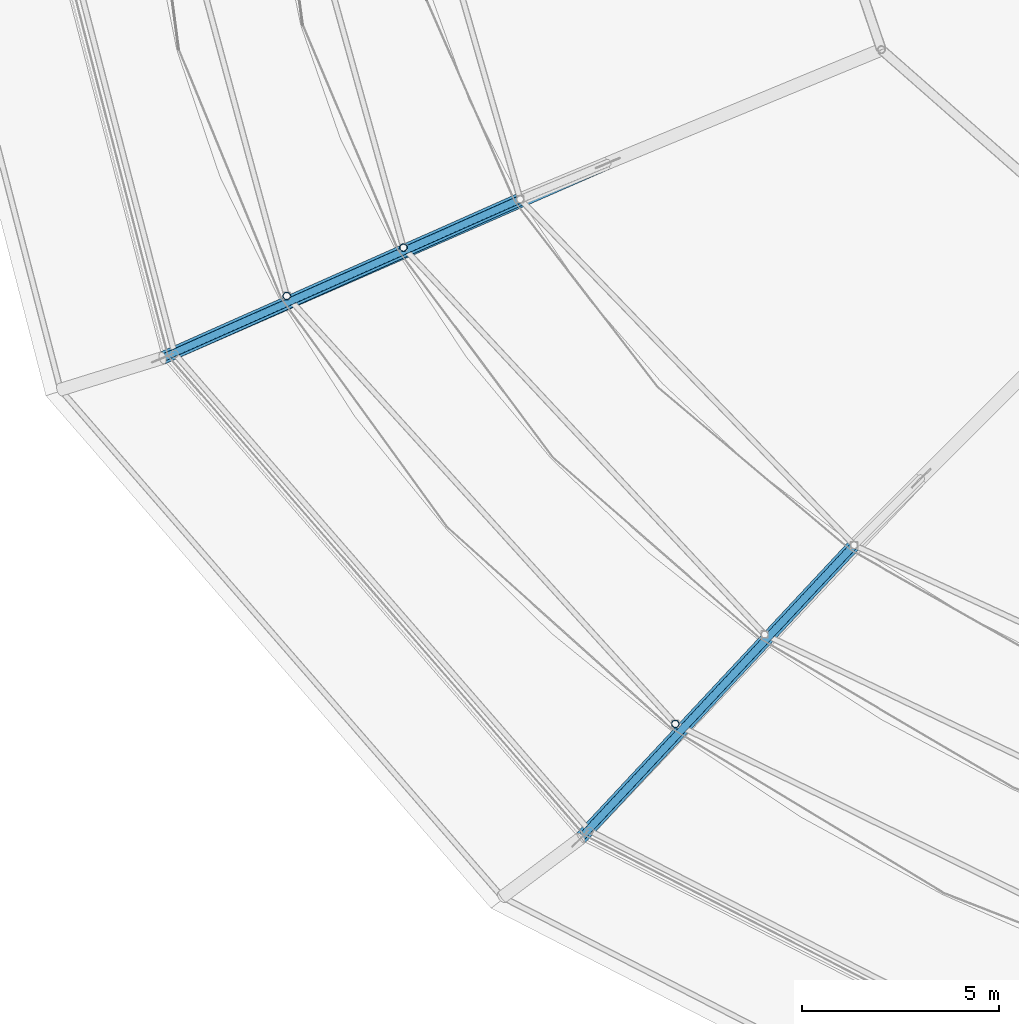
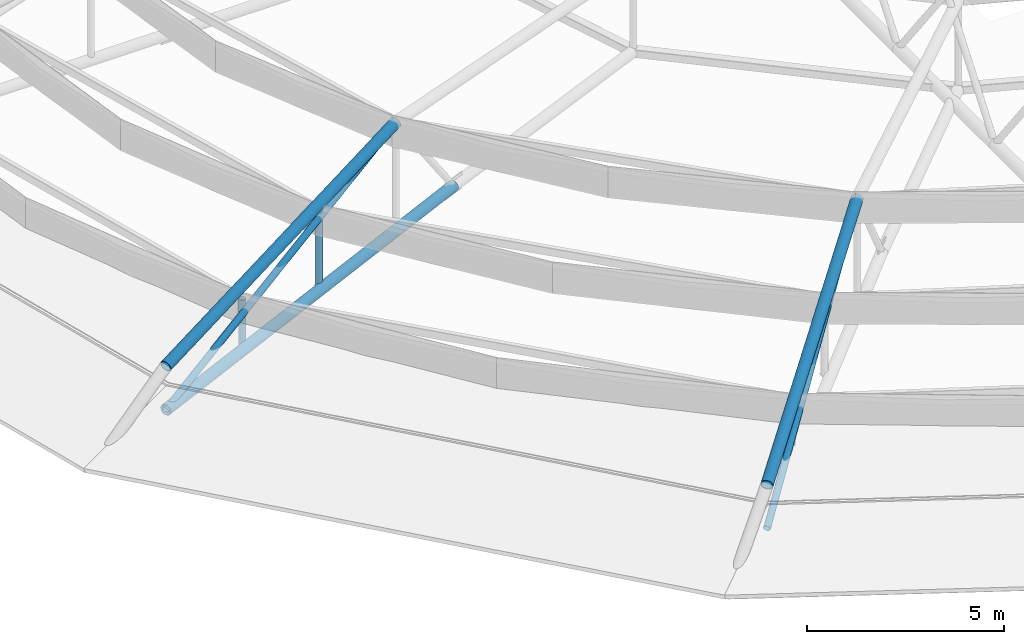
# One storey, part 7 of 134: 8 members.
"""IFC4 building model written with IfcOpenShell, lengths in metres."""

from ifc_helpers import new_model, si_unit, derived_unit, direction, frame, origin, origin_2d, place, context, subcontext, project, spatial, hollow_circle, extrude, material, material_profile, profile_set, type_object, element, save


model = new_model("IFC4")

# Units and contexts
model_context = context("Model", 3, precision=1e-05, world=origin(), true_north=direction((0.0, 1.0)))
body_context = subcontext(model_context, "Body", "Model", "MODEL_VIEW")
ifc_project = project(units=[si_unit("LENGTHUNIT", "METRE"), si_unit("AREAUNIT", "SQUARE_METRE"), si_unit("VOLUMEUNIT", "CUBIC_METRE"), si_unit("PLANEANGLEUNIT", "RADIAN"), si_unit("MASSUNIT", "GRAM", prefix="KILO"), derived_unit("THERMALTRANSMITTANCEUNIT", [(si_unit("MASSUNIT", "GRAM", prefix="KILO"), 1), (si_unit("TIMEUNIT", "SECOND"), -3), (si_unit("THERMODYNAMICTEMPERATUREUNIT", "KELVIN"), -1)])], contexts=[model_context])

# Site, building, storey
site_placement = place(None, origin())
site = spatial("IfcSite", under=ifc_project, at=site_placement, CompositionType="ELEMENT")
building_placement = place(site_placement, origin())
building = spatial("IfcBuilding", under=site, at=building_placement, Name="Kharveza Railside Sports Centre", CompositionType="ELEMENT")
storey_placement = place(building_placement, frame((0.0, 0.0, 12.89990234375)))
storey = spatial("IfcBuildingStorey", under=building, at=storey_placement, Name="L03", CompositionType="ELEMENT", Elevation=12.89990234375)

# Members
ifc_material = material(Name="Steel S355J2", Category="steel")
ifc_material_profile_1 = material_profile(ifc_material, hollow_circle(Radius=0.161865234375, WallThickness=0.01611328125, at=origin_2d()), Name="CHS 323.9x16.0")
ifc_profile_set_1 = profile_set([ifc_material_profile_1], Name="Steel S355J2")
member_type_1 = type_object("IfcMemberType", Name="MB-CH02", PredefinedType="CHORD", material=ifc_profile_set_1)
member_1_placement = place(storey_placement, frame((20.785888671875, 40.986083984375, -0.0498046875), z_axis=(-0.915990137201, -0.401200783337, 0.0), x_axis=(0.401200783337, -0.915990137201, 0.0)))
element("IfcMember", 1, at=member_1_placement, inside=storey, type_object=member_type_1, Name="MB-OUT-BC2-10", PredefinedType="CHORD", context=body_context, shape_type="SweptSolid", body=[
    extrude(hollow_circle(Radius=0.161865234375, WallThickness=0.01611328125, at=origin_2d()), origin(), (0.0, 0.0, 1.0), 12.304931640625),
])
member_2_placement = place(storey_placement, frame((18.568603515625, 40.0673828125, 3.25), z_axis=(-0.89682131677, -0.398001489319, -0.193148492842), x_axis=(0.405639876127, -0.914032981295, 0.0)))
element("IfcMember", 2, at=member_2_placement, inside=storey, type_object=member_type_1, Name="MB-OUT-TC2-10", PredefinedType="CHORD", context=body_context, shape_type="SweptSolid", body=[
    extrude(hollow_circle(Radius=0.161865234375, WallThickness=0.01611328125, at=origin_2d()), origin(), (0.0, 0.0, 1.0), 10.095703125),
])
member_3_placement = place(storey_placement, frame((27.022705078125, 31.30810546875, 3.25), z_axis=(-0.670071214212, -0.717948620491, -0.188558601554), x_axis=(0.731062462895, -0.682310541723, 0.0)))
element("IfcMember", 3, at=member_3_placement, inside=storey, type_object=member_type_1, Name="MB-OUT-TC2-11", PredefinedType="CHORD", context=body_context, shape_type="SweptSolid", body=[
    extrude(hollow_circle(Radius=0.161865234375, WallThickness=0.01611328125, at=origin_2d()), origin(), (0.0, 0.0, 1.0), 10.34130859375),
])
ifc_material_profile_2 = material_profile(ifc_material, hollow_circle(Radius=0.096923828125, WallThickness=0.010009765625, at=origin_2d()), Name="CHS 193.7x10.0")
ifc_profile_set_2 = profile_set([ifc_material_profile_2], Name="Steel S355J2")
member_type_2 = type_object("IfcMemberType", Name="MB-ST02", PredefinedType="STRUT", material=ifc_profile_set_2)
for number, where, z_axis, x_axis, name in (
    (4, (12.65576171875, 37.618408203125, -0.0498046875), (0.0, 0.0, 1.0), (1.0, 0.0, 0.0), "MB-LIDPOST-S2-10"),
    (5, (22.497314453125, 26.78271484375, -0.0498046875), (0.0, 0.0, 1.0), (1.0, 0.0, 0.0), "MB-LIDPOST-S2-11"),
):
    element("IfcMember", number, at=place(storey_placement, frame(where, z_axis=z_axis, x_axis=x_axis)), inside=storey, type_object=member_type_2, Name=name, PredefinedType="STRUT", context=body_context, shape_type="SweptSolid", body=[
        extrude(hollow_circle(Radius=0.096923828125, WallThickness=0.010009765625, at=origin_2d()), origin(), (0.0, 0.0, 1.0), 1.40478515625),
    ])
member_4_placement = place(storey_placement, frame((15.6123046875, 38.843017578125, -0.0498046875), z_axis=(0.0, 0.0, 1.0), x_axis=(1.0, 0.0, 0.0)))
element("IfcMember", 6, at=member_4_placement, inside=storey, type_object=member_type_2, Name="MB-LIDPOST-S3-10", PredefinedType="STRUT", context=body_context, shape_type="SweptSolid", body=[
    extrude(hollow_circle(Radius=0.096923828125, WallThickness=0.010009765625, at=origin_2d()), origin(), (0.0, 0.0, 1.0), 2.35498046875),
])
member_5_placement = place(storey_placement, frame((18.568603515625, 40.0673828125, 3.25), z_axis=(-0.867181101303, -0.384847419853, -0.316052845226), x_axis=(0.405639876127, -0.914032981295, 0.0)))
element("IfcMember", 7, at=member_5_placement, inside=storey, type_object=member_type_2, Name="MB-OUT-WEB-10-3", PredefinedType="STRUT", context=body_context, shape_type="SweptSolid", body=[
    extrude(hollow_circle(Radius=0.096923828125, WallThickness=0.010009765625, at=origin_2d()), origin(), (0.0, 0.0, 1.0), 10.440673828125),
])
member_6_placement = place(storey_placement, frame((27.022705078125, 31.30810546875, 3.25), z_axis=(-0.648916467759, -0.695282341578, -0.309014374035), x_axis=(0.731062462895, -0.682310541723, 0.0)))
element("IfcMember", 8, at=member_6_placement, inside=storey, type_object=member_type_2, Name="MB-OUT-WEB-11-3", PredefinedType="STRUT", context=body_context, shape_type="SweptSolid", body=[
    extrude(hollow_circle(Radius=0.096923828125, WallThickness=0.010009765625, at=origin_2d()), origin(), (0.0, 0.0, 1.0), 10.678466796875),
])

save(model, "model.ifc")
